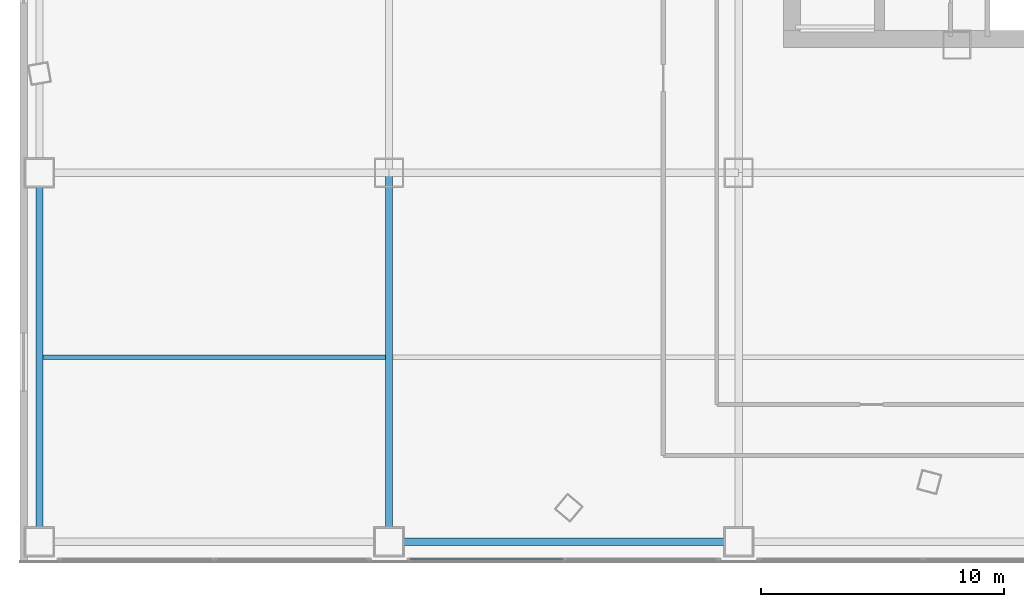
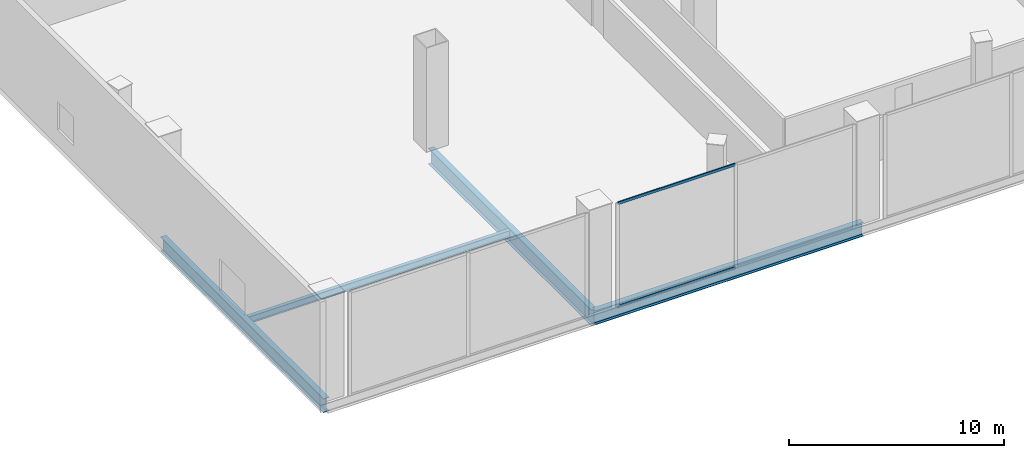
# One storey, part 4 of 41: 4 beams, 2 members, 1 element without a shape of its own.
"""IFC4 building model written with IfcOpenShell, lengths in metres."""

from ifc_helpers import new_model, si_unit, direction, frame, origin, origin_2d, place, context, subcontext, project, spatial, hollow_rectangle, i_section, extrude, source, transform, mapped, material, layer, layer_set, material_profile, profile_set, type_object, element, aggregate, save


model = new_model("IFC4")

# Units and contexts
model_context = context("Model", 3, precision=1e-05, world=origin(), true_north=direction((0.0, 1.0)))
body_context = subcontext(model_context, "Body", "Model", "MODEL_VIEW")
ifc_project = project(units=[si_unit("LENGTHUNIT", "METRE"), si_unit("AREAUNIT", "SQUARE_METRE"), si_unit("VOLUMEUNIT", "CUBIC_METRE"), si_unit("PLANEANGLEUNIT", "RADIAN"), si_unit("MASSUNIT", "GRAM", prefix="KILO"), si_unit("THERMODYNAMICTEMPERATUREUNIT", "KELVIN"), si_unit("POWERUNIT", "WATT")], contexts=[model_context])

# Site, building, storey
site_placement = place(None, origin())
site = spatial("IfcSite", under=ifc_project, at=site_placement, CompositionType="ELEMENT")
building_placement = place(site_placement, origin())
building = spatial("IfcBuilding", under=site, at=building_placement, Name="Yunzhuo Pagoda Commons", CompositionType="ELEMENT")
storey_placement = place(building_placement, frame((0.0, 0.0, 19.199951171875)))
storey = spatial("IfcBuildingStorey", under=building, at=storey_placement, Name="L05", CompositionType="ELEMENT", Elevation=19.199951171875)

# Beams
ifc_material_1 = material(Name="Structural steel Q355B", Category="steel")
ifc_material_profile_1 = material_profile(ifc_material_1, i_section(OverallWidth=0.300048828125, OverallDepth=0.800048828125, WebThickness=0.013916015625, FlangeThickness=0.02587890625, at=origin_2d()), Name="Structural steel Q355B")
ifc_profile_set_1 = profile_set([ifc_material_profile_1], Name="Structural steel Q355B")
beam_type_1 = type_object("IfcBeamType", Name="B-PD2 Beam HN 800x300x14x26", PredefinedType="BEAM", material=ifc_profile_set_1)
shared_shape_1 = source(origin(), body_context, "Body", "SweptSolid", [
    extrude(i_section(OverallWidth=0.300048828125, OverallDepth=0.800048828125, WebThickness=0.013916015625, FlangeThickness=0.02587890625, at=origin_2d()), origin(), (0.0, 0.0, 1.0), 14.400146484375),
])
beam_1_placement = place(storey_placement, frame((19.199951171875, 6.800048828125, -0.6796875), z_axis=(1.0, 0.0, 0.0), x_axis=(0.0, 1.0, 0.0)))
element("IfcBeam", 1, at=beam_1_placement, inside=storey, type_object=beam_type_1, Name="L05 podium girder EW 1.2", PredefinedType="BEAM", context=body_context, shape_type="MappedRepresentation", body=[
    mapped(shared_shape_1, transform((0.0, 0.0, 0.0), scale=1.0)),
])
shared_shape_2 = source(origin(), body_context, "Body", "SweptSolid", [
    extrude(i_section(OverallWidth=0.300048828125, OverallDepth=0.800048828125, WebThickness=0.013916015625, FlangeThickness=0.02587890625, at=origin_2d()), origin(), (0.0, 0.0, 1.0), 15.199951171875),
])
beam_2_placement = place(storey_placement, frame((4.800048828125, 6.800048828125, -0.6796875), z_axis=(0.0, 1.0, 0.0), x_axis=(-1.0, 0.0, 0.0)))
element("IfcBeam", 2, at=beam_2_placement, inside=storey, type_object=beam_type_1, Name="L05 podium girder NS 1.1", PredefinedType="BEAM", context=body_context, shape_type="MappedRepresentation", body=[
    mapped(shared_shape_2, transform((0.0, 0.0, 0.0), scale=1.0)),
])
ifc_material_profile_2 = material_profile(ifc_material_1, i_section(OverallWidth=0.199951171875, OverallDepth=0.39990234375, WebThickness=0.008056640625, FlangeThickness=0.012939453125, at=origin_2d()), Name="Structural steel Q355B")
ifc_profile_set_2 = profile_set([ifc_material_profile_2], Name="Structural steel Q355B")
beam_type_2 = type_object("IfcBeamType", Name="B-JS1 Joist HN 400x200x8x13", PredefinedType="JOIST", material=ifc_profile_set_2)
shared_shape_3 = source(origin(), body_context, "Body", "SweptSolid", [
    extrude(i_section(OverallWidth=0.199951171875, OverallDepth=0.39990234375, WebThickness=0.008056640625, FlangeThickness=0.012939453125, at=origin_2d()), origin(), (0.0, 0.0, 1.0), 14.08984375),
])
beam_3_placement = place(storey_placement, frame((4.955078125, 14.39990234375, -0.47998046875), z_axis=(1.0, 0.0, 0.0), x_axis=(0.0, 1.0, 0.0)))
element("IfcBeam", 3, at=beam_3_placement, inside=storey, type_object=beam_type_2, Name="L05 podium composite joist 1.1", PredefinedType="JOIST", context=body_context, shape_type="MappedRepresentation", body=[
    mapped(shared_shape_3, transform((0.0, 0.0, 0.0), scale=1.0)),
])
ifc_material_profile_3 = material_profile(ifc_material_1, i_section(OverallWidth=0.300048828125, OverallDepth=0.89990234375, WebThickness=0.01611328125, FlangeThickness=0.028076171875, at=origin_2d()), Name="Structural steel Q355B")
ifc_profile_set_3 = profile_set([ifc_material_profile_3], Name="Structural steel Q355B")
beam_type_3 = type_object("IfcBeamType", Name="B-PD1 Beam HN 900x300x16x28", PredefinedType="BEAM", material=ifc_profile_set_3)
shared_shape_4 = source(origin(), body_context, "Body", "SweptSolid", [
    extrude(i_section(OverallWidth=0.300048828125, OverallDepth=0.89990234375, WebThickness=0.01611328125, FlangeThickness=0.028076171875, at=origin_2d()), origin(), (0.0, 0.0, 1.0), 15.199951171875),
])
beam_4_placement = place(storey_placement, frame((19.199951171875, 6.800048828125, -0.72998046875), z_axis=(0.0, 1.0, 0.0), x_axis=(-1.0, 0.0, 0.0)))
element("IfcBeam", 4, at=beam_4_placement, inside=storey, type_object=beam_type_3, Name="L05 podium girder NS 2.1", PredefinedType="BEAM", context=body_context, shape_type="MappedRepresentation", body=[
    mapped(shared_shape_4, transform((0.0, 0.0, 0.0), scale=1.0)),
])

# Curtain wall, members
ifc_material_2 = material(Name="Anodized aluminium 6063-T6", Category="aluminium")
ifc_layer = layer(ifc_material_2, 0.179931640625)
ifc_layer_set = layer_set([ifc_layer], Name="Anodized aluminium 6063-T6")
curtain_wall_type = type_object("IfcCurtainWallType", Name="CW-POD Waterfront Podium Curtain Wall", PredefinedType="NOTDEFINED", material=ifc_layer_set)
curtain_wall_placement = place(storey_placement, origin())
curtain_wall = element("IfcCurtainWall", 5, at=curtain_wall_placement, inside=storey, type_object=curtain_wall_type, Name="L05 curtain wall CW-L05-S2", PredefinedType="NOTDEFINED")
ifc_material_profile_4 = material_profile(ifc_material_2, hollow_rectangle(XDim=0.06005859375, YDim=0.14990234375, WallThickness=0.00390625, at=origin_2d()), Name="Anodized aluminium 6063-T6")
ifc_profile_set_4 = profile_set([ifc_material_profile_4], Name="Anodized aluminium 6063-T6")
member_type = type_object("IfcMemberType", Name="CW-POD-T Transom RHS 150x60x4", PredefinedType="USERDEFINED", material=ifc_profile_set_4)
shared_shape_5 = source(origin(), body_context, "Body", "SweptSolid", [
    extrude(hollow_rectangle(XDim=0.06005859375, YDim=0.14990234375, WallThickness=0.00390625, at=origin_2d()), origin(), (0.0, 0.0, 1.0), 6.302490234375),
])
member_1_placement = place(storey_placement, frame((20.06494140625, 6.080078125, 0.0302734375), z_axis=(1.0, 0.0, 0.0), x_axis=(0.0, 1.0, 0.0)))
member_1 = element("IfcMember", 6, at=member_1_placement, type_object=member_type, Name="CW transom 1.1", ObjectType="TRANSOM", PredefinedType="USERDEFINED", context=body_context, shape_type="MappedRepresentation", body=[
    mapped(shared_shape_5, transform((0.0, 0.0, 0.0), scale=1.0)),
])
member_2_placement = place(storey_placement, frame((20.06494140625, 6.080078125, 5.89013671875), z_axis=(1.0, 0.0, 0.0), x_axis=(0.0, 1.0, 0.0)))
member_2 = element("IfcMember", 7, at=member_2_placement, type_object=member_type, Name="CW transom 1.2", ObjectType="TRANSOM", PredefinedType="USERDEFINED", context=body_context, shape_type="MappedRepresentation", body=[
    mapped(shared_shape_5, transform((0.0, 0.0, 0.0), scale=1.0)),
])
aggregate(curtain_wall, [member_1, member_2])

save(model, "model.ifc")
